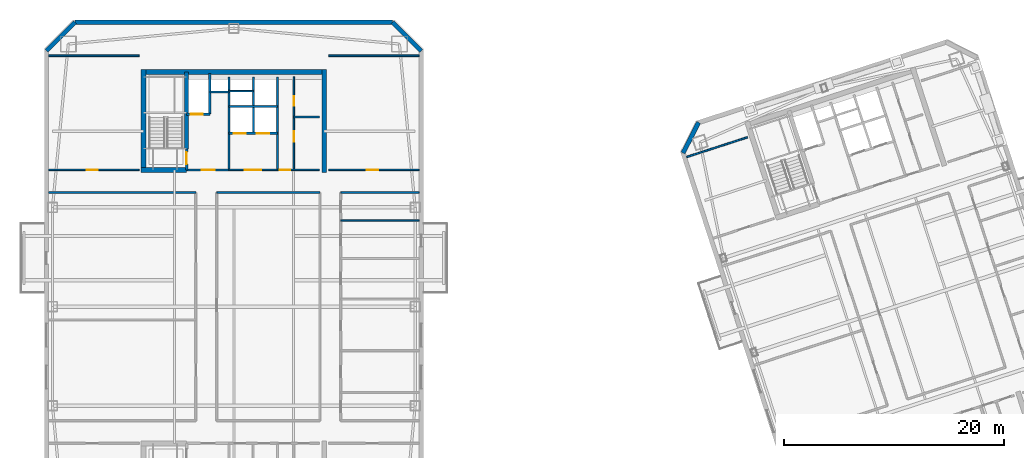
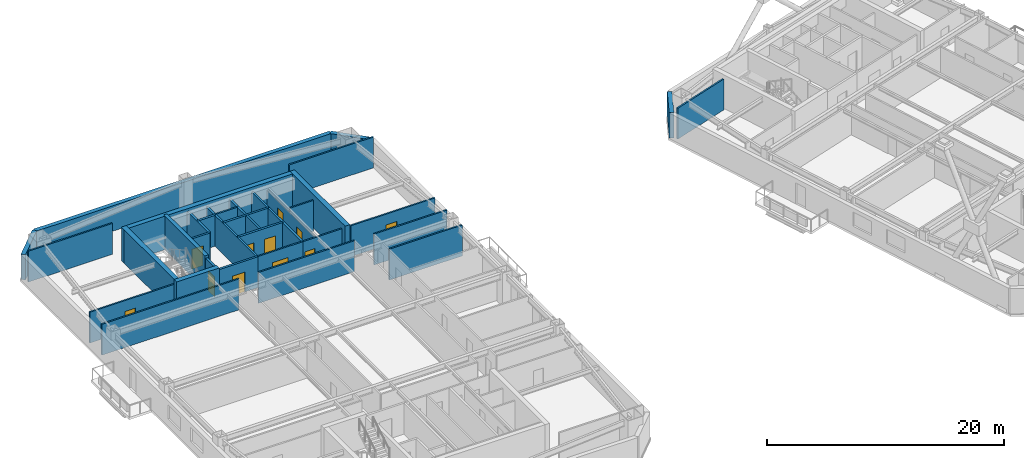
# One storey, part 8 of 16: 33 walls, 11 doors, 11 openings.
"""IFC4 building model written with IfcOpenShell, lengths in metres."""

import ifcopenshell
import ifcopenshell.guid

model = None  # the IFC model being written
_history = None  # IfcOwnerHistory: only IFC2X3 demands one
_inside = {}  # id of a spatial element -> (the spatial element, [elements in it])
_under = {}  # id of a project, library or spatial element -> (it, [spatial elements below it])
_declared = {}  # id of a project -> (the project, [libraries it declares])
_typed = {}  # id of a type object -> (the type object, [elements of that type])
_made_of = {}  # id of a material, layer set ... -> (it, [elements and type objects made of it])


def new_model(schema):
    """Start an empty IFC model of exactly this schema.

    Asked for "IFC4X3", IfcOpenShell would pick the latest addendum, in which some entities
    have other attributes; the version numbers below select the first issue.
    IFC2X3 requires an IfcOwnerHistory on every rooted entity: one is made here for all.
    """
    global model, _history
    if schema == "IFC4X3":
        model = ifcopenshell.file(schema_version=(4, 3, 0, 0))
    else:
        model = ifcopenshell.file(schema=schema)
    _inside.clear()
    _under.clear()
    _declared.clear()
    _typed.clear()
    _made_of.clear()
    _history = None
    if model.schema == "IFC2X3":
        org = make("IfcOrganization", Name="unknown")
        user = make(
            "IfcPersonAndOrganization",
            ThePerson=make("IfcPerson", FamilyName="unknown"),
            TheOrganization=org,
        )
        app = make(
            "IfcApplication",
            ApplicationDeveloper=org,
            Version="unknown",
            ApplicationFullName="unknown",
            ApplicationIdentifier="unknown",
        )
        _history = make(
            "IfcOwnerHistory",
            OwningUser=user,
            OwningApplication=app,
            ChangeAction="ADDED",
            CreationDate=0,
        )
    return model


def make(cls, **values):
    """One entity of the class cls with the attributes given. An attribute that is None is left unset."""
    return model.create_entity(
        cls, **{name: value for name, value in values.items() if value is not None}
    )


def rooted(cls, **values):
    """An entity with a GlobalId (a new one), such as an element, a storey or a relation."""
    return make(cls, GlobalId=ifcopenshell.guid.new(), OwnerHistory=_history, **values)


def si_unit(unit_type, name, prefix=None):
    """IfcSIUnit, for example si_unit("LENGTHUNIT", "METRE", prefix="MILLI")."""
    return make("IfcSIUnit", UnitType=unit_type, Prefix=prefix, Name=name)


def assignment(units):
    """IfcUnitAssignment: the units of a project."""
    return None if units is None else make("IfcUnitAssignment", Units=units)


def point(xyz):
    """IfcCartesianPoint."""
    return None if xyz is None else make("IfcCartesianPoint", Coordinates=xyz)


def direction(xyz):
    """IfcDirection."""
    return None if xyz is None else make("IfcDirection", DirectionRatios=xyz)


def frame(location, z_axis=None, x_axis=None):
    """IfcAxis2Placement3D, a coordinate frame: its origin and axes. An axis left out is left unset."""
    return make(
        "IfcAxis2Placement3D",
        Location=point(location),
        Axis=direction(z_axis),
        RefDirection=direction(x_axis),
    )


def frame_2d(location, x_axis=None):
    """IfcAxis2Placement2D, a coordinate frame in the plane: its origin and x axis."""
    return make(
        "IfcAxis2Placement2D", Location=point(location), RefDirection=direction(x_axis)
    )


def origin():
    """The frame at (0, 0, 0) with its axes left unset."""
    return frame((0.0, 0.0, 0.0))


def place(relative_to, where):
    """IfcLocalPlacement: puts the frame where relative to a parent placement (None: the world)."""
    return make(
        "IfcLocalPlacement", PlacementRelTo=relative_to, RelativePlacement=where
    )


def context(
    kind, dimensions, precision=None, world=None, true_north=None, identifier=None
):
    """IfcGeometricRepresentationContext, for example the 3D "Model" context."""
    return make(
        "IfcGeometricRepresentationContext",
        ContextIdentifier=identifier,
        ContextType=kind,
        CoordinateSpaceDimension=dimensions,
        Precision=precision,
        WorldCoordinateSystem=world,
        TrueNorth=true_north,
    )


def subcontext(parent, identifier, kind, view, scale=None):
    """IfcGeometricRepresentationSubContext, for example "Body" below "Model"."""
    return make(
        "IfcGeometricRepresentationSubContext",
        ContextIdentifier=identifier,
        ContextType=kind,
        ParentContext=parent,
        TargetScale=scale,
        TargetView=view,
    )


def project(units=None, contexts=None):
    """IfcProject with its units and contexts."""
    return rooted(
        "IfcProject",
        Name="project",
        RepresentationContexts=contexts,
        UnitsInContext=assignment(units),
    )


def spatial(cls, under=None, at=None, **own):
    """A site, building, storey or space (cls), placed at a placement, below another one or the project."""
    s = rooted(cls, ObjectPlacement=at, **own)
    if under is not None:
        _under.setdefault(under.id(), (under, []))[1].append(s)
    return s


def profile(cls, at=None, kind="AREA", **sizes):
    """A parametric profile (cls). Its sizes go by their IFC names, for example OverallWidth=200.0."""
    return make(cls, ProfileType=kind, Position=at, **sizes)


def rectangle(**sizes):
    """IfcRectangleProfileDef."""
    return profile("IfcRectangleProfileDef", **sizes)


def extrude(swept, where, along, depth):
    """IfcExtrudedAreaSolid: the profile swept, set in the frame where, extruded along a direction by depth."""
    return make(
        "IfcExtrudedAreaSolid",
        SweptArea=swept,
        Position=where,
        ExtrudedDirection=direction(along),
        Depth=depth,
    )


def shape(context_of_items, identifier, shape_type, items):
    """IfcShapeRepresentation: the items that make up one representation, for example the "Body"."""
    return make(
        "IfcShapeRepresentation",
        ContextOfItems=context_of_items,
        RepresentationIdentifier=identifier,
        RepresentationType=shape_type,
        Items=items,
    )


def material(Name=None, Category=None):
    """IfcMaterial."""
    return make("IfcMaterial", Name=Name, Category=Category)


def layer(
    of_material, thickness, ventilated=None, Name=None, Category=None, Priority=None
):
    """IfcMaterialLayer: one layer of a wall or slab, of a material (None: an air gap)."""
    return make(
        "IfcMaterialLayer",
        Material=of_material,
        LayerThickness=thickness,
        IsVentilated=ventilated,
        Name=Name,
        Category=Category,
        Priority=Priority,
    )


def layer_set(layers, Name=None):
    """IfcMaterialLayerSet."""
    return make("IfcMaterialLayerSet", MaterialLayers=layers, LayerSetName=Name)


def made_of(thing, what):
    """Note that an element or type object is made of a material, layer set ...; save() writes the relation."""
    if what is not None:
        _made_of.setdefault(what.id(), (what, []))[1].append(thing)
    return thing


def type_object(cls, material=None, **own):
    """A type object (cls), such as IfcWallType, which elements share."""
    return made_of(rooted(cls, **own), material)


def element(
    cls,
    number,
    at=None,
    inside=None,
    cuts=None,
    type_object=None,
    material=None,
    context=None,
    identifier="Body",
    shape_type=None,
    held_by="IfcProductDefinitionShape",
    body=None,
    shapes=None,
    **own,
):
    """One element of the class cls, such as IfcWall. Its Tag is "e" and its number.

    at: its placement. inside: the storey or other place that contains it. cuts: it is an
    opening in that element (IfcRelVoidsElement). A single representation is given by context,
    identifier, shape_type and body (its items); several are given by shapes. held_by: the class
    of the entity that holds the representations. save() writes the other relations.
    """
    e = rooted(cls, Tag="e%d" % number, ObjectPlacement=at, **own)
    if body is not None:
        shapes = [shape(context, identifier, shape_type, body)]
    if shapes is not None:
        e.Representation = make(held_by, Representations=shapes)
    if inside is not None:
        _inside.setdefault(inside.id(), (inside, []))[1].append(e)
    if cuts is not None:
        rooted(
            "IfcRelVoidsElement", RelatingBuildingElement=cuts, RelatedOpeningElement=e
        )
    if type_object is not None:
        _typed.setdefault(type_object.id(), (type_object, []))[1].append(e)
    return made_of(e, material)


def fill(opening, filler):
    """IfcRelFillsElement: the door or window that sits in an opening."""
    return rooted(
        "IfcRelFillsElement",
        RelatingOpeningElement=opening,
        RelatedBuildingElement=filler,
    )


def aggregate(whole, parts):
    """IfcRelAggregates: a whole, such as a stair, and the parts it consists of."""
    return rooted("IfcRelAggregates", RelatingObject=whole, RelatedObjects=parts)


def save(model, path):
    """Write the relations noted so far, then the file.

    IfcRelAggregates (storeys below a building ...), IfcRelContainedInSpatialStructure (elements
    in a storey), IfcRelDefinesByType, IfcRelAssociatesMaterial and IfcRelDeclares: one each for
    every whole, place, type object, material and project.
    """
    for whole, parts in _under.values():
        aggregate(whole, parts)
    for where, things in _inside.values():
        rooted(
            "IfcRelContainedInSpatialStructure",
            RelatedElements=things,
            RelatingStructure=where,
        )
    for kind, things in _typed.values():
        rooted("IfcRelDefinesByType", RelatedObjects=things, RelatingType=kind)
    for what, things in _made_of.values():
        rooted("IfcRelAssociatesMaterial", RelatedObjects=things, RelatingMaterial=what)
    for by, libraries in _declared.values():
        rooted("IfcRelDeclares", RelatingContext=by, RelatedDefinitions=libraries)
    model.write(path)


model = new_model("IFC4")

# Units and contexts
model_context = context("Model", 3, precision=1e-05, world=origin(), true_north=direction((0.0, 1.0)))
body_context = subcontext(model_context, "Body", "Model", "MODEL_VIEW")
ifc_project = project(units=[si_unit("LENGTHUNIT", "METRE"), si_unit("AREAUNIT", "SQUARE_METRE"), si_unit("VOLUMEUNIT", "CUBIC_METRE"), si_unit("PLANEANGLEUNIT", "RADIAN"), si_unit("MASSUNIT", "GRAM", prefix="KILO")], contexts=[model_context])

# Site, building, storey
site_placement = place(None, origin())
site = spatial("IfcSite", under=ifc_project, at=site_placement, CompositionType="ELEMENT")
building_placement = place(site_placement, origin())
building = spatial("IfcBuilding", under=site, at=building_placement, Name="Qiaolan Cultural Towers", CompositionType="ELEMENT")
storey_placement = place(building_placement, frame((0.0, 0.0, 198.949951171875)))
storey = spatial("IfcBuildingStorey", under=building, at=storey_placement, Name="L53", CompositionType="ELEMENT", Elevation=198.949951171875)

# Walls
ifc_material_1 = material(Name="Concrete C50", Category="concrete")
ifc_layer_1 = layer(ifc_material_1, 0.35009765625)
ifc_layer_set_1 = layer_set([ifc_layer_1], Name="Concrete C50")
wall_type_1 = type_object("IfcWallType", Name="WL-CORE-350", PredefinedType="SHEAR", material=ifc_layer_set_1)
wall_1_placement = place(storey_placement, frame((25.719970703125, 48.300048828125, 0.0), z_axis=(0.0, 0.0, 1.0), x_axis=(0.0, 1.0, 0.0)))
element("IfcWall", 1, at=wall_1_placement, inside=storey, type_object=wall_type_1, Name="L53 T1-CN Stair Core Dividing Web", PredefinedType="SHEAR", context=body_context, shape_type="SweptSolid", body=[
    extrude(rectangle(XDim=6.97998046875, YDim=0.35009765625, at=frame_2d((3.489990234375, 0.0))), origin(), (0.0, 0.0, 1.0), 3.449951171875),
])
ifc_material_2 = material(Name="Concrete C50", Category="concrete")
ifc_layer_2 = layer(ifc_material_2, 0.449951171875)
ifc_layer_set_2 = layer_set([ifc_layer_2], Name="Concrete C50")
wall_type_2 = type_object("IfcWallType", Name="WL-CORE-450", PredefinedType="SHEAR", material=ifc_layer_set_2)
wall_2_placement = place(storey_placement, frame((21.574951171875, 55.280029296875, 0.0), z_axis=(0.0, 0.0, 1.0), x_axis=(1.0, 0.0, 0.0)))
element("IfcWall", 2, at=wall_2_placement, inside=storey, type_object=wall_type_2, Name="L53 T1-CN Outer Core Shear Wall", PredefinedType="SHEAR", context=body_context, shape_type="SweptSolid", body=[
    extrude(rectangle(XDim=16.85009765625, YDim=0.449951171875, at=frame_2d((8.425048828125, 0.0))), origin(), (0.0, 0.0, 1.0), 3.449951171875),
])
for number, where, z_axis, x_axis, name in (
    (3, (21.800048828125, 46.175048828125, 0.0), (0.0, 0.0, 1.0), (0.0, 1.0, 0.0), "L53 T1-CN West Core Shear Wall"),
    (4, (38.199951171875, 46.175048828125, 0.0), (0.0, 0.0, 1.0), (0.0, 1.0, 0.0), "L53 T1-CN East Core Shear Wall"),
):
    element("IfcWall", number, at=place(storey_placement, frame(where, z_axis=z_axis, x_axis=x_axis)), inside=storey, type_object=wall_type_2, Name=name, PredefinedType="SHEAR", context=body_context, shape_type="SweptSolid", body=[
        extrude(rectangle(XDim=9.329833984375, YDim=0.449951171875, at=frame_2d((4.6650390625, 0.0))), origin(), (0.0, 0.0, 1.0), 3.449951171875),
    ])
wall_3_placement = place(storey_placement, frame((21.574951171875, 46.39990234375, 0.0), z_axis=(0.0, 0.0, 1.0), x_axis=(1.0, 0.0, 0.0)))
element("IfcWall", 5, at=wall_3_placement, inside=storey, type_object=wall_type_2, Name="L53 T1-CN Stair Front Shear Wall", PredefinedType="SHEAR", context=body_context, shape_type="SweptSolid", body=[
    extrude(rectangle(XDim=4.14501953125, YDim=0.449951171875, at=frame_2d((2.072509765625, 0.0))), origin(), (0.0, 0.0, 1.0), 3.449951171875),
])
ifc_material_3 = material(Name="Precast Concrete C50 Honed Stone Pier", Category="masonry")
ifc_layer_3 = layer(ifc_material_3, 0.39990234375)
ifc_layer_set_3 = layer_set([ifc_layer_3], Name="Precast Concrete C50 Honed Stone Pier")
wall_type_3 = type_object("IfcWallType", Name="WL-EXT-PIER-400", PredefinedType="SOLIDWALL", material=ifc_layer_set_3)
wall_4_placement = place(storey_placement, frame((13.0, 57.199951171875, 0.0), z_axis=(0.0, 0.0, 1.0), x_axis=(0.707106781187, 0.707106781187, 0.0)))
element("IfcWall", 6, at=wall_4_placement, inside=storey, type_object=wall_type_3, Name="L53 West Tower Precast Pier Facade Wall F2", PredefinedType="SOLIDWALL", context=body_context, shape_type="SweptSolid", body=[
    extrude(rectangle(XDim=3.677001953125, YDim=0.39990234375, at=frame_2d((1.83837890625, 0.0))), origin(), (0.0, 0.0, 1.0), 2.610107421875),
])
wall_5_placement = place(storey_placement, frame((15.60009765625, 59.800048828125, 0.0), z_axis=(0.0, 0.0, 1.0), x_axis=(1.0, 0.0, 0.0)))
element("IfcWall", 7, at=wall_5_placement, inside=storey, type_object=wall_type_3, Name="L53 West Tower Precast Pier Facade Wall F3", PredefinedType="SOLIDWALL", context=body_context, shape_type="SweptSolid", body=[
    extrude(rectangle(XDim=28.7998046875, YDim=0.39990234375, at=frame_2d((14.39990234375, 0.0))), origin(), (0.0, 0.0, 1.0), 2.610107421875),
])
wall_6_placement = place(storey_placement, frame((44.39990234375, 59.800048828125, 0.0), z_axis=(0.0, 0.0, 1.0), x_axis=(0.707106781187, -0.707106781187, 0.0)))
element("IfcWall", 8, at=wall_6_placement, inside=storey, type_object=wall_type_3, Name="L53 West Tower Precast Pier Facade Wall F4", PredefinedType="SOLIDWALL", context=body_context, shape_type="SweptSolid", body=[
    extrude(rectangle(XDim=3.677001953125, YDim=0.39990234375, at=frame_2d((1.83837890625, 0.0))), origin(), (0.0, 0.0, 1.0), 2.610107421875),
])
wall_7_placement = place(storey_placement, frame((70.752197265625, 47.93408203125, 0.0), z_axis=(0.0, 0.0, 1.0), x_axis=(0.453949291228, 0.891027519774, 0.0)))
element("IfcWall", 9, at=wall_7_placement, inside=storey, type_object=wall_type_3, Name="L53 East Tower Precast Pier Facade Wall F2", PredefinedType="SOLIDWALL", context=body_context, shape_type="SweptSolid", body=[
    extrude(rectangle(XDim=3.111328125, YDim=0.39990234375, at=frame_2d((1.5556640625, 0.0))), origin(), (0.0, 0.0, 1.0), 2.610107421875),
])

# Wall, opening, door
ifc_material_4 = material(Name="Concrete C35 Fire Wall", Category="concrete")
ifc_layer_4 = layer(ifc_material_4, 0.199951171875)
ifc_layer_set_4 = layer_set([ifc_layer_4], Name="Concrete C35 Fire Wall")
wall_type_4 = type_object("IfcWallType", Name="WL-FIRE-200", PredefinedType="PARTITIONING", material=ifc_layer_set_4)
wall_8_placement = place(storey_placement, frame((25.719970703125, 46.39990234375, 0.0), z_axis=(0.0, 0.0, 1.0), x_axis=(0.0, 1.0, 0.0)))
wall_8 = element("IfcWall", 10, at=wall_8_placement, inside=storey, type_object=wall_type_4, Name="L53 T1-CN Smokeproof Stair Entry Wall", PredefinedType="PARTITIONING", context=body_context, shape_type="SweptSolid", body=[
    extrude(rectangle(XDim=1.900146484375, YDim=0.199951171875, at=frame_2d((0.9501953125, 0.0))), origin(), (0.0, 0.0, 1.0), 3.175048828125),
])
opening_1_placement = place(wall_8_placement, frame((0.52001953125, 0.0, 0.0)))
opening_1 = element("IfcOpeningElement", 11, at=opening_1_placement, cuts=wall_8, Name="Opening FD-04", PredefinedType="OPENING", context=body_context, shape_type="SweptSolid", body=[
    extrude(rectangle(XDim=1.10009765625, YDim=2.050048828125, at=frame_2d((0.550048828125, 1.02490234375))), frame((0.0, 0.10986328125, 0.0), z_axis=(0.0, -1.0, 0.0), x_axis=(1.0, 0.0, 0.0)), (0.0, 0.0, 1.0), 0.219970703125),
])
ifc_material_5 = material(Name="Galvanized Steel Command Fire Door", Category="steel")
door_type_1 = type_object("IfcDoorType", Name="DR-FD90-1100", OperationType="NOTDEFINED", PredefinedType="DOOR", material=ifc_material_5)
door_1_placement = place(opening_1_placement, origin())
door_1 = element("IfcDoor", 12, at=door_1_placement, inside=storey, type_object=door_type_1, Name="L53 ST-W2 Smokeproof Stair Fire Door", OperationType="SINGLE_SWING_LEFT", OverallHeight=2.050048828125, OverallWidth=1.10009765625, PredefinedType="DOOR", context=body_context, shape_type="SweptSolid", body=[
    extrude(rectangle(XDim=1.10009765625, YDim=2.050048828125, at=frame_2d((0.550048828125, 1.02490234375))), frame((0.0, 0.02490234375, 0.0), z_axis=(0.0, -1.0, 0.0), x_axis=(1.0, 0.0, 0.0)), (0.0, 0.0, 1.0), 0.050048828125),
])
fill(opening_1, door_1)

# Wall
wall_9_placement = place(storey_placement, frame((29.550048828125, 46.39990234375, 0.0), z_axis=(0.0, 0.0, 1.0), x_axis=(0.0, 1.0, 0.0)))
element("IfcWall", 13, at=wall_9_placement, inside=storey, type_object=wall_type_4, Name="L53 T1-CN Firefighting Zone Wall", PredefinedType="PARTITIONING", context=body_context, shape_type="SweptSolid", body=[
    extrude(rectangle(XDim=8.43017578125, YDim=0.199951171875, at=frame_2d((4.215087890625, 0.0))), origin(), (0.0, 0.0, 1.0), 3.175048828125),
])

# Wall, opening, door
wall_10_placement = place(storey_placement, frame((25.719970703125, 46.39990234375, 0.0), z_axis=(0.0, 0.0, 1.0), x_axis=(1.0, 0.0, 0.0)))
wall_10 = element("IfcWall", 14, at=wall_10_placement, inside=storey, type_object=wall_type_4, Name="L53 T1-CN Firefighting Lobby Front Wall", PredefinedType="PARTITIONING", context=body_context, shape_type="SweptSolid", body=[
    extrude(rectangle(XDim=3.830078125, YDim=0.199951171875, at=frame_2d((1.9150390625, 0.0))), origin(), (0.0, 0.0, 1.0), 3.175048828125),
])
opening_2_placement = place(wall_10_placement, frame((1.35009765625, 0.0, 0.0)))
opening_2 = element("IfcOpeningElement", 15, at=opening_2_placement, cuts=wall_10, Name="Opening FD-03", PredefinedType="OPENING", context=body_context, shape_type="SweptSolid", body=[
    extrude(rectangle(XDim=1.199951171875, YDim=2.050048828125, at=frame_2d((0.60009765625, 1.02490234375))), frame((0.0, 0.10986328125, 0.0), z_axis=(0.0, -1.0, 0.0), x_axis=(1.0, 0.0, 0.0)), (0.0, 0.0, 1.0), 0.219970703125),
])
ifc_material_6 = material(Name="Galvanized Steel Smokeproof Lobby Fire Door", Category="steel")
door_type_2 = type_object("IfcDoorType", Name="DR-FD90-1200", OperationType="NOTDEFINED", PredefinedType="DOOR", material=ifc_material_6)
door_2_placement = place(opening_2_placement, origin())
door_2 = element("IfcDoor", 16, at=door_2_placement, inside=storey, type_object=door_type_2, Name="L53 FFL-W2 Firefighting Lobby Fire Door", OperationType="SINGLE_SWING_LEFT", OverallHeight=2.050048828125, OverallWidth=1.199951171875, PredefinedType="DOOR", context=body_context, shape_type="SweptSolid", body=[
    extrude(rectangle(XDim=1.199951171875, YDim=2.050048828125, at=frame_2d((0.60009765625, 1.02490234375))), frame((0.0, 0.02490234375, 0.0), z_axis=(0.0, -1.0, 0.0), x_axis=(1.0, 0.0, 0.0)), (0.0, 0.0, 1.0), 0.050048828125),
])
fill(opening_2, door_2)

wall_11_placement = place(storey_placement, frame((25.719970703125, 51.449951171875, 0.0), z_axis=(0.0, 0.0, 1.0), x_axis=(1.0, 0.0, 0.0)))
wall_11 = element("IfcWall", 17, at=wall_11_placement, inside=storey, type_object=wall_type_4, Name="L53 T1-CN Firefighting Shaft Front Wall", PredefinedType="PARTITIONING", context=body_context, shape_type="SweptSolid", body=[
    extrude(rectangle(XDim=2.10009765625, YDim=0.199951171875, at=frame_2d((1.050048828125, 0.0))), origin(), (0.0, 0.0, 1.0), 3.175048828125),
])
opening_3_placement = place(wall_11_placement, frame((0.35009765625, 0.0, 0.0)))
opening_3 = element("IfcOpeningElement", 18, at=opening_3_placement, cuts=wall_11, Name="Opening LD-01", PredefinedType="OPENING", context=body_context, shape_type="SweptSolid", body=[
    extrude(rectangle(XDim=1.10009765625, YDim=2.050048828125, at=frame_2d((0.550048828125, 1.02490234375))), frame((0.0, 0.10986328125, 0.0), z_axis=(0.0, -1.0, 0.0), x_axis=(1.0, 0.0, 0.0)), (0.0, 0.0, 1.0), 0.219970703125),
])
ifc_material_7 = material(Name="Brushed Stainless Steel S30408 Centre-Parting Lift Landing Door", Category="steel")
door_type_3 = type_object("IfcDoorType", Name="DR-LIFT-1100", OperationType="NOTDEFINED", PredefinedType="DOOR", material=ifc_material_7)
door_3_placement = place(opening_3_placement, origin())
door_3 = element("IfcDoor", 19, at=door_3_placement, inside=storey, type_object=door_type_3, Name="L53 FFL-W2 Firefighting Lift Landing Door", OperationType="DOUBLE_DOOR_SLIDING", OverallHeight=2.050048828125, OverallWidth=1.10009765625, PredefinedType="DOOR", context=body_context, shape_type="SweptSolid", body=[
    extrude(rectangle(XDim=1.10009765625, YDim=2.050048828125, at=frame_2d((0.550048828125, 1.02490234375))), frame((0.0, 0.02490234375, 0.0), z_axis=(0.0, -1.0, 0.0), x_axis=(1.0, 0.0, 0.0)), (0.0, 0.0, 1.0), 0.050048828125),
])
fill(opening_3, door_3)

# Walls
wall_12_placement = place(storey_placement, frame((27.820068359375, 51.449951171875, 0.0), z_axis=(0.0, 0.0, 1.0), x_axis=(0.0, 1.0, 0.0)))
element("IfcWall", 20, at=wall_12_placement, inside=storey, type_object=wall_type_4, Name="L53 T1-CN Firefighting Hoistway East Wall", PredefinedType="PARTITIONING", context=body_context, shape_type="SweptSolid", body=[
    extrude(rectangle(XDim=3.699951171875, YDim=0.199951171875, at=frame_2d((1.85009765625, 0.0))), origin(), (0.0, 0.0, 1.0), 3.175048828125),
])
wall_13_placement = place(storey_placement, frame((27.820068359375, 53.47998046875, 0.0), z_axis=(0.0, 0.0, 1.0), x_axis=(1.0, 0.0, 0.0)))
element("IfcWall", 21, at=wall_13_placement, inside=storey, type_object=wall_type_4, Name="L53 T1-CN Pressurization Shaft Front Wall", PredefinedType="PARTITIONING", context=body_context, shape_type="SweptSolid", body=[
    extrude(rectangle(XDim=1.72998046875, YDim=0.199951171875, at=frame_2d((0.864990234375, 0.0))), origin(), (0.0, 0.0, 1.0), 3.175048828125),
])
wall_14_placement = place(storey_placement, frame((33.949951171875, 46.39990234375, 0.0), z_axis=(0.0, 0.0, 1.0), x_axis=(0.0, 1.0, 0.0)))
element("IfcWall", 22, at=wall_14_placement, inside=storey, type_object=wall_type_4, Name="L53 T1-CN Lift Core East Wall", PredefinedType="PARTITIONING", context=body_context, shape_type="SweptSolid", body=[
    extrude(rectangle(XDim=8.43017578125, YDim=0.199951171875, at=frame_2d((4.215087890625, 0.0))), origin(), (0.0, 0.0, 1.0), 3.175048828125),
])

# Wall, openings, doors
wall_15_placement = place(storey_placement, frame((29.550048828125, 49.719970703125, 0.0), z_axis=(0.0, 0.0, 1.0), x_axis=(1.0, 0.0, 0.0)))
wall_15 = element("IfcWall", 23, at=wall_15_placement, inside=storey, type_object=wall_type_4, Name="L53 T1-CN Passenger Lift Shaft Front Wall", PredefinedType="PARTITIONING", context=body_context, shape_type="SweptSolid", body=[
    extrude(rectangle(XDim=4.39990234375, YDim=0.199951171875, at=frame_2d((2.199951171875, 0.0))), origin(), (0.0, 0.0, 1.0), 3.175048828125),
])
opening_4_placement = place(wall_15_placement, frame((0.449951171875, 0.0, 0.0)))
opening_4 = element("IfcOpeningElement", 24, at=opening_4_placement, cuts=wall_15, Name="Opening LD-01", PredefinedType="OPENING", context=body_context, shape_type="SweptSolid", body=[
    extrude(rectangle(XDim=1.10009765625, YDim=2.050048828125, at=frame_2d((0.550048828125, 1.02490234375))), frame((0.0, 0.10986328125, 0.0), z_axis=(0.0, -1.0, 0.0), x_axis=(1.0, 0.0, 0.0)), (0.0, 0.0, 1.0), 0.219970703125),
])
opening_5_placement = place(wall_15_placement, frame((2.550048828125, 0.0, 0.0)))
opening_5 = element("IfcOpeningElement", 25, at=opening_5_placement, cuts=wall_15, Name="Opening LD-01", PredefinedType="OPENING", context=body_context, shape_type="SweptSolid", body=[
    extrude(rectangle(XDim=1.10009765625, YDim=2.050048828125, at=frame_2d((0.550048828125, 1.02490234375))), frame((0.0, 0.10986328125, 0.0), z_axis=(0.0, -1.0, 0.0), x_axis=(1.0, 0.0, 0.0)), (0.0, 0.0, 1.0), 0.219970703125),
])
door_4_placement = place(opening_4_placement, origin())
door_4 = element("IfcDoor", 26, at=door_4_placement, inside=storey, type_object=door_type_3, Name="L53 Passenger Lift 1 Landing Door", OperationType="DOUBLE_DOOR_SLIDING", OverallHeight=2.050048828125, OverallWidth=1.10009765625, PredefinedType="DOOR", context=body_context, shape_type="SweptSolid", body=[
    extrude(rectangle(XDim=1.10009765625, YDim=2.050048828125, at=frame_2d((0.550048828125, 1.02490234375))), frame((0.0, 0.02490234375, 0.0), z_axis=(0.0, -1.0, 0.0), x_axis=(1.0, 0.0, 0.0)), (0.0, 0.0, 1.0), 0.050048828125),
])
fill(opening_4, door_4)
door_5_placement = place(opening_5_placement, origin())
door_5 = element("IfcDoor", 27, at=door_5_placement, inside=storey, type_object=door_type_3, Name="L53 Passenger Lift 2 Landing Door", OperationType="DOUBLE_DOOR_SLIDING", OverallHeight=2.050048828125, OverallWidth=1.10009765625, PredefinedType="DOOR", context=body_context, shape_type="SweptSolid", body=[
    extrude(rectangle(XDim=1.10009765625, YDim=2.050048828125, at=frame_2d((0.550048828125, 1.02490234375))), frame((0.0, 0.02490234375, 0.0), z_axis=(0.0, -1.0, 0.0), x_axis=(1.0, 0.0, 0.0)), (0.0, 0.0, 1.0), 0.050048828125),
])
fill(opening_5, door_5)

# Walls
wall_16_placement = place(storey_placement, frame((31.780029296875, 49.719970703125, 0.0), z_axis=(0.0, 0.0, 1.0), x_axis=(0.0, 1.0, 0.0)))
element("IfcWall", 28, at=wall_16_placement, inside=storey, type_object=wall_type_4, Name="L53 T1-CN Lift Shaft Divider Wall", PredefinedType="PARTITIONING", context=body_context, shape_type="SweptSolid", body=[
    extrude(rectangle(XDim=5.110107421875, YDim=0.199951171875, at=frame_2d((2.55517578125, 0.0))), origin(), (0.0, 0.0, 1.0), 3.175048828125),
])
wall_17_placement = place(storey_placement, frame((29.550048828125, 52.14990234375, 0.0), z_axis=(0.0, 0.0, 1.0), x_axis=(1.0, 0.0, 0.0)))
element("IfcWall", 29, at=wall_17_placement, inside=storey, type_object=wall_type_4, Name="L53 T1-CN Passenger Lift Shaft Back Wall", PredefinedType="PARTITIONING", context=body_context, shape_type="SweptSolid", body=[
    extrude(rectangle(XDim=4.39990234375, YDim=0.199951171875, at=frame_2d((2.199951171875, 0.0))), origin(), (0.0, 0.0, 1.0), 3.175048828125),
])

# Wall, opening, door
ifc_material_8 = material(Name="Autoclaved Aerated Concrete Block B06", Category="concrete")
ifc_layer_5 = layer(ifc_material_8, 0.14990234375)
ifc_layer_set_5 = layer_set([ifc_layer_5], Name="Autoclaved Aerated Concrete Block B06")
wall_type_5 = type_object("IfcWallType", Name="WL-PART-150", PredefinedType="PARTITIONING", material=ifc_layer_set_5)
wall_18_placement = place(storey_placement, frame((29.550048828125, 46.39990234375, 0.0), z_axis=(0.0, 0.0, 1.0), x_axis=(1.0, 0.0, 0.0)))
wall_18 = element("IfcWall", 30, at=wall_18_placement, inside=storey, type_object=wall_type_5, Name="L53 T1-CN Passenger Lift Lobby Front Wall", PredefinedType="PARTITIONING", context=body_context, shape_type="SweptSolid", body=[
    extrude(rectangle(XDim=4.39990234375, YDim=0.14990234375, at=frame_2d((2.199951171875, 0.0))), origin(), (0.0, 0.0, 1.0), 3.175048828125),
])
opening_6_placement = place(wall_18_placement, frame((1.449951171875, 0.0, 0.0)))
opening_6 = element("IfcOpeningElement", 31, at=opening_6_placement, cuts=wall_18, Name="Opening FD-05", PredefinedType="OPENING", context=body_context, shape_type="SweptSolid", body=[
    extrude(rectangle(XDim=1.5, YDim=2.050048828125, at=frame_2d((0.75, 1.02490234375))), frame((0.0, 0.0849609375, 0.0), z_axis=(0.0, -1.0, 0.0), x_axis=(1.0, 0.0, 0.0)), (0.0, 0.0, 1.0), 0.169921875),
])
ifc_material_9 = material(Name="Painted Steel Lift Lobby Fire Door", Category="steel")
door_type_4 = type_object("IfcDoorType", Name="DR-FD60-1500", OperationType="NOTDEFINED", PredefinedType="DOOR", material=ifc_material_9)
door_6_placement = place(opening_6_placement, origin())
door_6 = element("IfcDoor", 32, at=door_6_placement, inside=storey, type_object=door_type_4, Name="L53 Passenger Lift Lobby Entrance", OperationType="SINGLE_SWING_LEFT", OverallHeight=2.050048828125, OverallWidth=1.5, PredefinedType="DOOR", context=body_context, shape_type="SweptSolid", body=[
    extrude(rectangle(XDim=1.5, YDim=2.050048828125, at=frame_2d((0.75, 1.02490234375))), frame((0.0, 0.02490234375, 0.0), z_axis=(0.0, -1.0, 0.0), x_axis=(1.0, 0.0, 0.0)), (0.0, 0.0, 1.0), 0.050048828125),
])
fill(opening_6, door_6)

# Wall
wall_19_placement = place(storey_placement, frame((29.550048828125, 53.550048828125, 0.0), z_axis=(0.0, 0.0, 1.0), x_axis=(1.0, 0.0, 0.0)))
element("IfcWall", 33, at=wall_19_placement, inside=storey, type_object=wall_type_5, Name="L53 T1-CN Core Rear Riser Split", PredefinedType="PARTITIONING", context=body_context, shape_type="SweptSolid", body=[
    extrude(rectangle(XDim=2.22998046875, YDim=0.14990234375, at=frame_2d((1.114990234375, 0.0))), origin(), (0.0, 0.0, 1.0), 3.175048828125),
])

# Wall, opening, door
wall_20_placement = place(storey_placement, frame((33.949951171875, 46.39990234375, 0.0), z_axis=(0.0, 0.0, 1.0), x_axis=(1.0, 0.0, 0.0)))
wall_20 = element("IfcWall", 34, at=wall_20_placement, inside=storey, type_object=wall_type_5, Name="L53 T1-CN Sanitary Core Front Wall", PredefinedType="PARTITIONING", context=body_context, shape_type="SweptSolid", body=[
    extrude(rectangle(XDim=3.800048828125, YDim=0.14990234375, at=frame_2d((1.89990234375, 0.0))), origin(), (0.0, 0.0, 1.0), 3.175048828125),
])
opening_7_placement = place(wall_20_placement, frame((0.219970703125, 0.0, 0.0)))
opening_7 = element("IfcOpeningElement", 35, at=opening_7_placement, cuts=wall_20, Name="Opening ID-05", PredefinedType="OPENING", context=body_context, shape_type="SweptSolid", body=[
    extrude(rectangle(XDim=0.949951171875, YDim=2.050048828125, at=frame_2d((0.47509765625, 1.02490234375))), frame((0.0, 0.0849609375, 0.0), z_axis=(0.0, -1.0, 0.0), x_axis=(1.0, 0.0, 0.0)), (0.0, 0.0, 1.0), 0.169921875),
])
ifc_material_10 = material(Name="Fire-Rated Laminate Accessible Core Door", Category="timber")
door_type_5 = type_object("IfcDoorType", Name="DR-INT-950", OperationType="NOTDEFINED", PredefinedType="DOOR", material=ifc_material_10)
door_7_placement = place(opening_7_placement, origin())
door_7 = element("IfcDoor", 36, at=door_7_placement, inside=storey, type_object=door_type_5, Name="L53 Sanitary Lobby Door", OperationType="SINGLE_SWING_LEFT", OverallHeight=2.050048828125, OverallWidth=0.949951171875, PredefinedType="DOOR", context=body_context, shape_type="SweptSolid", body=[
    extrude(rectangle(XDim=0.949951171875, YDim=2.050048828125, at=frame_2d((0.47509765625, 1.02490234375))), frame((0.0, 0.02490234375, 0.0), z_axis=(0.0, -1.0, 0.0), x_axis=(1.0, 0.0, 0.0)), (0.0, 0.0, 1.0), 0.050048828125),
])
fill(opening_7, door_7)

# Wall, openings, doors
wall_21_placement = place(storey_placement, frame((35.449951171875, 46.39990234375, 0.0), z_axis=(0.0, 0.0, 1.0), x_axis=(0.0, 1.0, 0.0)))
wall_21 = element("IfcWall", 37, at=wall_21_placement, inside=storey, type_object=wall_type_5, Name="L53 T1-CN Washroom Split Wall", PredefinedType="PARTITIONING", context=body_context, shape_type="SweptSolid", body=[
    extrude(rectangle(XDim=8.43017578125, YDim=0.14990234375, at=frame_2d((4.215087890625, 0.0))), origin(), (0.0, 0.0, 1.0), 2.81494140625),
])
opening_8_placement = place(wall_21_placement, frame((2.550048828125, 0.0, 0.0)))
opening_8 = element("IfcOpeningElement", 38, at=opening_8_placement, cuts=wall_21, Name="Opening ID-05", PredefinedType="OPENING", context=body_context, shape_type="SweptSolid", body=[
    extrude(rectangle(XDim=0.949951171875, YDim=2.050048828125, at=frame_2d((0.47509765625, 1.02490234375))), frame((0.0, 0.0849609375, 0.0), z_axis=(0.0, -1.0, 0.0), x_axis=(1.0, 0.0, 0.0)), (0.0, 0.0, 1.0), 0.169921875),
])
opening_9_placement = place(wall_21_placement, frame((5.800048828125, 0.0, 0.0)))
opening_9 = element("IfcOpeningElement", 39, at=opening_9_placement, cuts=wall_21, Name="Opening ID-06", PredefinedType="OPENING", context=body_context, shape_type="SweptSolid", body=[
    extrude(rectangle(XDim=0.89990234375, YDim=2.050048828125, at=frame_2d((0.449951171875, 1.02490234375))), frame((0.0, 0.0849609375, 0.0), z_axis=(0.0, -1.0, 0.0), x_axis=(1.0, 0.0, 0.0)), (0.0, 0.0, 1.0), 0.169921875),
])
ifc_material_11 = material(Name="Fire-Rated Laminate Core Service Door", Category="timber")
door_type_6 = type_object("IfcDoorType", Name="DR-INT-900", OperationType="NOTDEFINED", PredefinedType="DOOR", material=ifc_material_11)
door_8_placement = place(opening_9_placement, origin())
door_8 = element("IfcDoor", 40, at=door_8_placement, inside=storey, type_object=door_type_6, Name="L53 First-Aid Room Door", OperationType="SINGLE_SWING_RIGHT", OverallHeight=2.050048828125, OverallWidth=0.89990234375, PredefinedType="DOOR", context=body_context, shape_type="SweptSolid", body=[
    extrude(rectangle(XDim=0.89990234375, YDim=2.050048828125, at=frame_2d((0.449951171875, 1.02490234375))), frame((0.0, 0.02490234375, 0.0), z_axis=(0.0, -1.0, 0.0), x_axis=(1.0, 0.0, 0.0)), (0.0, 0.0, 1.0), 0.050048828125),
])
fill(opening_9, door_8)
door_9_placement = place(opening_8_placement, origin())
door_9 = element("IfcDoor", 41, at=door_9_placement, inside=storey, type_object=door_type_5, Name="L53 Accessible Washroom Door", OperationType="SINGLE_SWING_LEFT", OverallHeight=2.050048828125, OverallWidth=0.949951171875, PredefinedType="DOOR", context=body_context, shape_type="SweptSolid", body=[
    extrude(rectangle(XDim=0.949951171875, YDim=2.050048828125, at=frame_2d((0.47509765625, 1.02490234375))), frame((0.0, 0.02490234375, 0.0), z_axis=(0.0, -1.0, 0.0), x_axis=(1.0, 0.0, 0.0)), (0.0, 0.0, 1.0), 0.050048828125),
])
fill(opening_8, door_9)

# Walls
wall_22_placement = place(storey_placement, frame((35.449951171875, 51.199951171875, 0.0), z_axis=(0.0, 0.0, 1.0), x_axis=(1.0, 0.0, 0.0)))
element("IfcWall", 42, at=wall_22_placement, inside=storey, type_object=wall_type_5, Name="L53 T1-CN First-Aid Wall", PredefinedType="PARTITIONING", context=body_context, shape_type="SweptSolid", body=[
    extrude(rectangle(XDim=2.300048828125, YDim=0.14990234375, at=frame_2d((1.14990234375, 0.0))), origin(), (0.0, 0.0, 1.0), 3.175048828125),
])
wall_23_placement = place(storey_placement, frame((13.199951171875, 56.75, 0.0), z_axis=(0.0, 0.0, 1.0), x_axis=(1.0, 0.0, 0.0)))
element("IfcWall", 43, at=wall_23_placement, inside=storey, type_object=wall_type_5, Name="L53 T1 Flank Wall FLK-NW", PredefinedType="PARTITIONING", context=body_context, shape_type="SweptSolid", body=[
    extrude(rectangle(XDim=8.199951171875, YDim=0.14990234375, at=frame_2d((4.10009765625, 0.0))), origin(), (0.0, 0.0, 1.0), 3.175048828125),
])

# Wall, opening, door
wall_24_placement = place(storey_placement, frame((13.199951171875, 46.39990234375, 0.0), z_axis=(0.0, 0.0, 1.0), x_axis=(1.0, 0.0, 0.0)))
wall_24 = element("IfcWall", 44, at=wall_24_placement, inside=storey, type_object=wall_type_5, Name="L53 T1 Flank Front FLK-NW", PredefinedType="PARTITIONING", context=body_context, shape_type="SweptSolid", body=[
    extrude(rectangle(XDim=8.199951171875, YDim=0.14990234375, at=frame_2d((4.10009765625, 0.0))), origin(), (0.0, 0.0, 1.0), 3.175048828125),
])
opening_10_placement = place(wall_24_placement, frame((3.444091796875, 0.0, 0.0)))
opening_10 = element("IfcOpeningElement", 45, at=opening_10_placement, cuts=wall_24, Name="Opening ID-04", PredefinedType="OPENING", context=body_context, shape_type="SweptSolid", body=[
    extrude(rectangle(XDim=1.0, YDim=2.050048828125, at=frame_2d((0.5, 1.02490234375))), frame((0.0, 0.0849609375, 0.0), z_axis=(0.0, -1.0, 0.0), x_axis=(1.0, 0.0, 0.0)), (0.0, 0.0, 1.0), 0.169921875),
])
ifc_material_12 = material(Name="Oak Veneer Acoustic Office Door", Category="timber")
door_type_7 = type_object("IfcDoorType", Name="DR-INT-1000", OperationType="NOTDEFINED", PredefinedType="DOOR", material=ifc_material_12)
door_10_placement = place(opening_10_placement, origin())
door_10 = element("IfcDoor", 46, at=door_10_placement, inside=storey, type_object=door_type_7, Name="L53 T1 Corner Studio Door", OperationType="SINGLE_SWING_LEFT", OverallHeight=2.050048828125, OverallWidth=1.0, PredefinedType="DOOR", context=body_context, shape_type="SweptSolid", body=[
    extrude(rectangle(XDim=1.0, YDim=2.050048828125, at=frame_2d((0.5, 1.02490234375))), frame((0.0, 0.02490234375, 0.0), z_axis=(0.0, -1.0, 0.0), x_axis=(1.0, 0.0, 0.0)), (0.0, 0.0, 1.0), 0.050048828125),
])
fill(opening_10, door_10)

# Wall
wall_25_placement = place(storey_placement, frame((38.60009765625, 56.75, 0.0), z_axis=(0.0, 0.0, 1.0), x_axis=(1.0, 0.0, 0.0)))
element("IfcWall", 47, at=wall_25_placement, inside=storey, type_object=wall_type_5, Name="L53 T1 Flank Wall FLK-NE", PredefinedType="PARTITIONING", context=body_context, shape_type="SweptSolid", body=[
    extrude(rectangle(XDim=8.199951171875, YDim=0.14990234375, at=frame_2d((4.10009765625, 0.0))), origin(), (0.0, 0.0, 1.0), 3.175048828125),
])

# Wall, opening, door
wall_26_placement = place(storey_placement, frame((38.60009765625, 46.39990234375, 0.0), z_axis=(0.0, 0.0, 1.0), x_axis=(1.0, 0.0, 0.0)))
wall_26 = element("IfcWall", 48, at=wall_26_placement, inside=storey, type_object=wall_type_5, Name="L53 T1 Flank Front FLK-NE", PredefinedType="PARTITIONING", context=body_context, shape_type="SweptSolid", body=[
    extrude(rectangle(XDim=8.199951171875, YDim=0.14990234375, at=frame_2d((4.10009765625, 0.0))), origin(), (0.0, 0.0, 1.0), 3.175048828125),
])
opening_11_placement = place(wall_26_placement, frame((3.444091796875, 0.0, 0.0)))
opening_11 = element("IfcOpeningElement", 49, at=opening_11_placement, cuts=wall_26, Name="Opening ID-07", PredefinedType="OPENING", context=body_context, shape_type="SweptSolid", body=[
    extrude(rectangle(XDim=1.050048828125, YDim=2.050048828125, at=frame_2d((0.52490234375, 1.02490234375))), frame((0.0, 0.0849609375, 0.0), z_axis=(0.0, -1.0, 0.0), x_axis=(1.0, 0.0, 0.0)), (0.0, 0.0, 1.0), 0.169921875),
])
ifc_material_13 = material(Name="Oak Veneer Consultation Door", Category="timber")
door_type_8 = type_object("IfcDoorType", Name="DR-INT-1050", OperationType="NOTDEFINED", PredefinedType="DOOR", material=ifc_material_13)
door_11_placement = place(opening_11_placement, origin())
door_11 = element("IfcDoor", 50, at=door_11_placement, inside=storey, type_object=door_type_8, Name="L53 T1 Corner Studio Door", OperationType="SINGLE_SWING_LEFT", OverallHeight=2.050048828125, OverallWidth=1.050048828125, PredefinedType="DOOR", context=body_context, shape_type="SweptSolid", body=[
    extrude(rectangle(XDim=1.050048828125, YDim=2.050048828125, at=frame_2d((0.52490234375, 1.02490234375))), frame((0.0, 0.02490234375, 0.0), z_axis=(0.0, -1.0, 0.0), x_axis=(1.0, 0.0, 0.0)), (0.0, 0.0, 1.0), 0.050048828125),
])
fill(opening_11, door_11)

# Walls
wall_27_placement = place(storey_placement, frame((13.199951171875, 44.35009765625, 0.0), z_axis=(0.0, 0.0, 1.0), x_axis=(1.0, 0.0, 0.0)))
element("IfcWall", 51, at=wall_27_placement, inside=storey, type_object=wall_type_5, Name="L53 T1 Interior Wall", PredefinedType="PARTITIONING", context=body_context, shape_type="SweptSolid", body=[
    extrude(rectangle(XDim=13.35009765625, YDim=0.14990234375, at=frame_2d((6.675048828125, 0.0))), origin(), (0.0, 0.0, 1.0), 3.175048828125),
])
wall_28_placement = place(storey_placement, frame((28.449951171875, 44.35009765625, 0.0), z_axis=(0.0, 0.0, 1.0), x_axis=(1.0, 0.0, 0.0)))
element("IfcWall", 52, at=wall_28_placement, inside=storey, type_object=wall_type_5, Name="L53 T1 Interior Wall", PredefinedType="PARTITIONING", context=body_context, shape_type="SweptSolid", body=[
    extrude(rectangle(XDim=9.35009765625, YDim=0.14990234375, at=frame_2d((4.675048828125, 0.0))), origin(), (0.0, 0.0, 1.0), 3.175048828125),
])
for number, where, z_axis, x_axis, name in (
    (53, (39.699951171875, 44.35009765625, 0.0), (0.0, 0.0, 1.0), (1.0, 0.0, 0.0), "L53 T1 Interior Wall"),
    (54, (39.699951171875, 41.800048828125, 0.0), (0.0, 0.0, 1.0), (1.0, 0.0, 0.0), "L53 T1 Interior Wall"),
):
    element("IfcWall", number, at=place(storey_placement, frame(where, z_axis=z_axis, x_axis=x_axis)), inside=storey, type_object=wall_type_5, Name=name, PredefinedType="PARTITIONING", context=body_context, shape_type="SweptSolid", body=[
        extrude(rectangle(XDim=7.10009765625, YDim=0.14990234375, at=frame_2d((3.550048828125, 0.0))), origin(), (0.0, 0.0, 1.0), 3.175048828125),
    ])
wall_29_placement = place(storey_placement, frame((71.081298828125, 47.56787109375, 0.0), z_axis=(0.0, 0.0, 1.0), x_axis=(0.951059431056, 0.309008023519, 0.0)))
element("IfcWall", 55, at=wall_29_placement, inside=storey, type_object=wall_type_5, Name="L53 T2 Flank Wall FLK-NW", PredefinedType="PARTITIONING", context=body_context, shape_type="SweptSolid", body=[
    extrude(rectangle(XDim=5.800048828125, YDim=0.14990234375, at=frame_2d((2.89990234375, 0.0))), origin(), (0.0, 0.0, 1.0), 3.175048828125),
])

save(model, "model.ifc")
